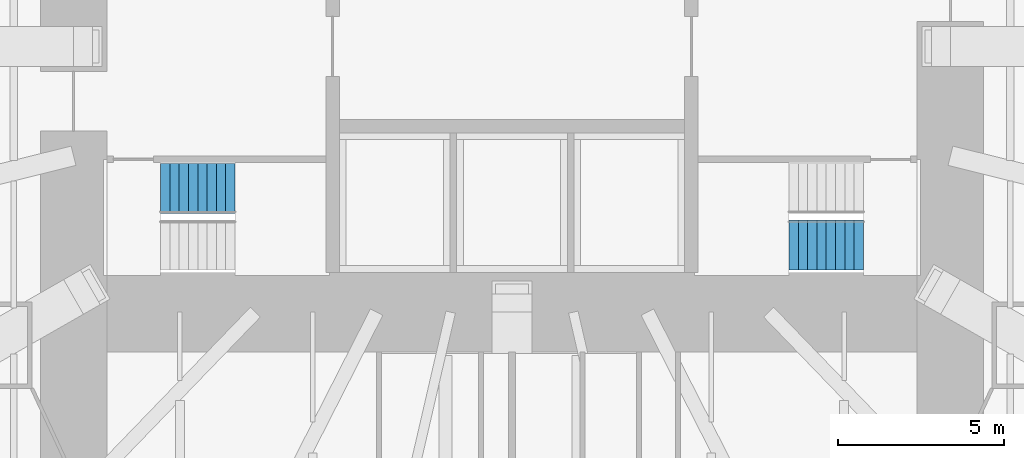
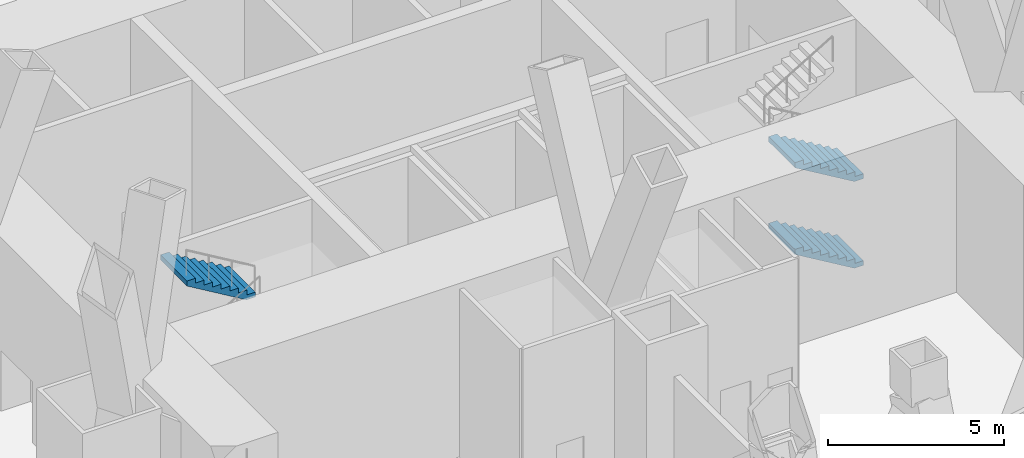
# One storey, part 19 of 21: 3 stair flights, 2 elements without a shape of their own.
"""IFC4 building model written with IfcOpenShell, lengths in metres."""

from ifc_helpers import new_model, si_unit, direction, frame, origin, place, context, subcontext, project, spatial, triangles, material, type_object, element, aggregate, save


model = new_model("IFC4")

# Units and contexts
model_context = context("Model", 3, precision=1e-05, world=origin(), true_north=direction((0.0, 1.0)))
body_context = subcontext(model_context, "Body", "Model", "MODEL_VIEW")
ifc_project = project(units=[si_unit("LENGTHUNIT", "METRE"), si_unit("AREAUNIT", "SQUARE_METRE"), si_unit("VOLUMEUNIT", "CUBIC_METRE"), si_unit("PLANEANGLEUNIT", "RADIAN"), si_unit("MASSUNIT", "GRAM", prefix="KILO")], contexts=[model_context])

# Site, building, storey
site_placement = place(None, origin())
site = spatial("IfcSite", under=ifc_project, at=site_placement, CompositionType="ELEMENT")
building_placement = place(site_placement, origin())
building = spatial("IfcBuilding", under=site, at=building_placement, Name="Lantaw Convention Tower", CompositionType="ELEMENT")
storey_placement = place(building_placement, frame((0.0, 0.0, 105.39990234375)))
storey = spatial("IfcBuildingStorey", under=building, at=storey_placement, Name="L25", CompositionType="ELEMENT", Elevation=105.39990234375)

# Stair, stair flight
ifc_material = material(Name="Concrete C35/45", Category="concrete")
stair_type = type_object("IfcStairType", Name="Exit stair 1500 riser 166.67 in 4 flights", PredefinedType="HALF_TURN_STAIR", material=ifc_material)
stair_1_placement = place(storey_placement, origin())
stair_1 = element("IfcStair", 1, at=stair_1_placement, inside=storey, type_object=stair_type, Name="Exit stair S1 L25", PredefinedType="HALF_TURN_STAIR")
stair_flight_type = type_object("IfcStairFlightType", Name="Stair flight 1500 riser 166.67", PredefinedType="STRAIGHT", material=ifc_material)
stair_flight_1_placement = place(storey_placement, frame((-8.340087890625, -4.280029296875, 4.5), z_axis=(0.0, 0.0, 1.0), x_axis=(-1.0, 0.0, 0.0)))
stair_flight_1 = element("IfcStairFlight", 2, at=stair_flight_1_placement, type_object=stair_flight_type, Name="S1 flight 4", NumberOfRisers=9, NumberOfTreads=8, PredefinedType="STRAIGHT", RiserHeight=0.166666667, TreadLength=0.28, context=body_context, shape_type="Tessellation", body=[
    triangles([(0.0, 0.75, 0.0), (0.0, 0.75, 0.166666667), (0.28, 0.75, 0.0), (0.28, 0.75, 0.166666667), (0.28, 0.75, 0.333333334), (0.2930734580690677, 0.75, 0.0), (0.2930734580690677, 0.75, 0.333333334), (0.56, 0.75, 0.1588848467052294), (0.56, 0.75, 0.333333334), (0.56, 0.75, 0.500000001), (0.8400000000000001, 0.75, 0.32555151370522933), (0.8400000000000001, 0.75, 0.500000001), (0.8400000000000001, 0.75, 0.666666668), (1.12, 0.75, 0.4922181807052293), (1.12, 0.75, 0.666666668), (1.12, 0.75, 0.833333335), (1.4000000000000001, 0.75, 0.6588848477052293), (1.4000000000000001, 0.75, 0.833333335), (1.4000000000000001, 0.75, 1.000000002), (1.6800000000000002, 0.75, 0.8255515147052293), (1.6800000000000002, 0.75, 1.000000002), (1.6800000000000002, 0.75, 1.166666669), (1.9600000000000002, 0.75, 0.9922181817052292), (1.9600000000000002, 0.75, 1.166666669), (1.9600000000000002, 0.75, 1.333333336), (2.24, 0.75, 1.1588848487052292), (2.24, 0.75, 1.333333336), (0.0, -0.75, 0.0), (0.0, -0.75, 0.166666667), (0.28, -0.75, 0.0), (0.28, -0.75, 0.166666667), (0.28, -0.75, 0.333333334), (0.2930734580690677, -0.75, 0.0), (0.2930734580690677, -0.75, 0.333333334), (0.56, -0.75, 0.1588848467052294), (0.56, -0.75, 0.333333334), (0.56, -0.75, 0.500000001), (0.8400000000000001, -0.75, 0.32555151370522933), (0.8400000000000001, -0.75, 0.500000001), (0.8400000000000001, -0.75, 0.666666668), (1.12, -0.75, 0.4922181807052293), (1.12, -0.75, 0.666666668), (1.12, -0.75, 0.833333335), (1.4000000000000001, -0.75, 0.6588848477052293), (1.4000000000000001, -0.75, 0.833333335), (1.4000000000000001, -0.75, 1.000000002), (1.6800000000000002, -0.75, 0.8255515147052293), (1.6800000000000002, -0.75, 1.000000002), (1.6800000000000002, -0.75, 1.166666669), (1.9600000000000002, -0.75, 0.9922181817052292), (1.9600000000000002, -0.75, 1.166666669), (1.9600000000000002, -0.75, 1.333333336), (2.24, -0.75, 1.1588848487052292), (2.24, -0.75, 1.333333336), (0.0, 0.15000000000000002, 0.166666667), (0.0, 0.15000000000000002, 0.0), (0.0, 0.0, 0.166666667), (0.0, 0.0, 0.0), (0.0, -0.15000000000000002, 0.166666667), (0.0, -0.15000000000000002, 0.0), (0.28, 0.15000000000000002, 0.333333334), (0.28, 0.15000000000000002, 0.166666667), (0.28, 0.0, 0.333333334), (0.28, 0.0, 0.166666667), (0.28, -0.15000000000000002, 0.333333334), (0.28, -0.15000000000000002, 0.166666667), (0.56, 0.15000000000000002, 0.500000001), (0.56, 0.15000000000000002, 0.333333334), (0.56, 0.0, 0.500000001), (0.56, 0.0, 0.333333334), (0.56, -0.15000000000000002, 0.500000001), (0.56, -0.15000000000000002, 0.333333334), (0.8400000000000001, 0.15000000000000002, 0.666666668), (0.8400000000000001, 0.15000000000000002, 0.500000001), (0.8400000000000001, 0.0, 0.666666668), (0.8400000000000001, 0.0, 0.500000001), (0.8400000000000001, -0.15000000000000002, 0.666666668), (0.8400000000000001, -0.15000000000000002, 0.500000001), (1.12, 0.15000000000000002, 0.833333335), (1.12, 0.15000000000000002, 0.666666668), (1.12, 0.0, 0.833333335), (1.12, 0.0, 0.666666668), (1.12, -0.15000000000000002, 0.833333335), (1.12, -0.15000000000000002, 0.666666668), (1.4000000000000001, 0.15000000000000002, 1.000000002), (1.4000000000000001, 0.15000000000000002, 0.833333335), (1.4000000000000001, 0.0, 1.000000002), (1.4000000000000001, 0.0, 0.833333335), (1.4000000000000001, -0.15000000000000002, 1.000000002), (1.4000000000000001, -0.15000000000000002, 0.833333335), (1.6800000000000002, 0.15000000000000002, 1.166666669), (1.6800000000000002, 0.15000000000000002, 1.000000002), (1.6800000000000002, 0.0, 1.166666669), (1.6800000000000002, 0.0, 1.000000002), (1.6800000000000002, -0.15000000000000002, 1.166666669), (1.6800000000000002, -0.15000000000000002, 1.000000002), (1.9600000000000002, 0.15000000000000002, 1.333333336), (1.9600000000000002, 0.15000000000000002, 1.166666669), (1.9600000000000002, 0.0, 1.333333336), (1.9600000000000002, 0.0, 1.166666669), (1.9600000000000002, -0.15000000000000002, 1.333333336), (1.9600000000000002, -0.15000000000000002, 1.166666669), (0.2930734580690677, 0.15000000000000002, 0.333333334), (0.2930734580690677, 0.0, 0.333333334), (0.2930734580690677, -0.15000000000000002, 0.333333334), (2.24, 0.15000000000000002, 1.333333336), (2.24, 0.0, 1.333333336), (2.24, -0.15000000000000002, 1.333333336), (2.24, 0.15000000000000002, 1.1588848487052292), (2.24, 0.0, 1.1588848487052292), (2.24, -0.15000000000000002, 1.1588848487052292), (1.9600000000000002, 0.15000000000000002, 0.9922181817052292), (1.9600000000000002, 0.0, 0.9922181817052292), (1.9600000000000002, -0.15000000000000002, 0.9922181817052292), (1.6800000000000002, 0.15000000000000002, 0.8255515147052293), (1.6800000000000002, 0.0, 0.8255515147052293), (1.6800000000000002, -0.15000000000000002, 0.8255515147052293), (1.4000000000000001, 0.15000000000000002, 0.6588848477052293), (1.4000000000000001, 0.0, 0.6588848477052293), (1.4000000000000001, -0.15000000000000002, 0.6588848477052293), (1.12, 0.15000000000000002, 0.4922181807052293), (1.12, 0.0, 0.4922181807052293), (1.12, -0.15000000000000002, 0.4922181807052293), (0.8400000000000001, 0.15000000000000002, 0.32555151370522933), (0.8400000000000001, 0.0, 0.32555151370522933), (0.8400000000000001, -0.15000000000000002, 0.32555151370522933), (0.56, 0.15000000000000002, 0.1588848467052294), (0.56, 0.0, 0.1588848467052294), (0.56, -0.15000000000000002, 0.1588848467052294), (0.2930734580690677, 0.15000000000000002, 0.0), (0.2930734580690677, 0.0, 0.0), (0.2930734580690677, -0.15000000000000002, 0.0), (0.28, 0.15000000000000002, 0.0), (0.28, 0.0, 0.0), (0.28, -0.15000000000000002, 0.0)], [[1, 4, 3], [1, 2, 4], [3, 4, 6], [4, 7, 6], [4, 5, 7], [6, 9, 8], [6, 7, 9], [8, 9, 11], [9, 12, 11], [9, 10, 12], [11, 12, 14], [12, 15, 14], [12, 13, 15], [14, 15, 17], [15, 18, 17], [15, 16, 18], [17, 18, 20], [18, 21, 20], [18, 19, 21], [20, 21, 23], [21, 24, 23], [21, 22, 24], [23, 24, 26], [24, 27, 26], [24, 25, 27], [28, 30, 31], [28, 31, 29], [30, 33, 31], [31, 33, 34], [31, 34, 32], [33, 35, 36], [33, 36, 34], [35, 38, 36], [36, 38, 39], [36, 39, 37], [38, 41, 39], [39, 41, 42], [39, 42, 40], [41, 44, 42], [42, 44, 45], [42, 45, 43], [44, 47, 45], [45, 47, 48], [45, 48, 46], [47, 50, 48], [48, 50, 51], [48, 51, 49], [50, 53, 51], [51, 53, 54], [51, 54, 52], [1, 55, 2], [1, 56, 55], [56, 57, 55], [56, 58, 57], [58, 59, 57], [58, 60, 59], [60, 29, 59], [60, 28, 29], [4, 61, 5], [4, 62, 61], [62, 63, 61], [62, 64, 63], [64, 65, 63], [64, 66, 65], [66, 32, 65], [66, 31, 32], [9, 67, 10], [9, 68, 67], [68, 69, 67], [68, 70, 69], [70, 71, 69], [70, 72, 71], [72, 37, 71], [72, 36, 37], [12, 73, 13], [12, 74, 73], [74, 75, 73], [74, 76, 75], [76, 77, 75], [76, 78, 77], [78, 40, 77], [78, 39, 40], [15, 79, 16], [15, 80, 79], [80, 81, 79], [80, 82, 81], [82, 83, 81], [82, 84, 83], [84, 43, 83], [84, 42, 43], [18, 85, 19], [18, 86, 85], [86, 87, 85], [86, 88, 87], [88, 89, 87], [88, 90, 89], [90, 46, 89], [90, 45, 46], [21, 91, 22], [21, 92, 91], [92, 93, 91], [92, 94, 93], [94, 95, 93], [94, 96, 95], [96, 49, 95], [96, 48, 49], [24, 97, 25], [24, 98, 97], [98, 99, 97], [98, 100, 99], [100, 101, 99], [100, 102, 101], [102, 52, 101], [102, 51, 52], [2, 62, 4], [2, 55, 62], [55, 64, 62], [55, 57, 64], [57, 66, 64], [57, 59, 66], [59, 31, 66], [59, 29, 31], [5, 103, 7], [5, 61, 103], [61, 104, 103], [61, 63, 104], [63, 105, 104], [63, 65, 105], [65, 34, 105], [65, 32, 34], [7, 68, 9], [7, 103, 68], [103, 70, 68], [103, 104, 70], [104, 72, 70], [104, 105, 72], [105, 36, 72], [105, 34, 36], [10, 74, 12], [10, 67, 74], [67, 76, 74], [67, 69, 76], [69, 78, 76], [69, 71, 78], [71, 39, 78], [71, 37, 39], [13, 80, 15], [13, 73, 80], [73, 82, 80], [73, 75, 82], [75, 84, 82], [75, 77, 84], [77, 42, 84], [77, 40, 42], [16, 86, 18], [16, 79, 86], [79, 88, 86], [79, 81, 88], [81, 90, 88], [81, 83, 90], [83, 45, 90], [83, 43, 45], [19, 92, 21], [19, 85, 92], [85, 94, 92], [85, 87, 94], [87, 96, 94], [87, 89, 96], [89, 48, 96], [89, 46, 48], [22, 98, 24], [22, 91, 98], [91, 100, 98], [91, 93, 100], [93, 102, 100], [93, 95, 102], [95, 51, 102], [95, 49, 51], [25, 106, 27], [25, 97, 106], [97, 107, 106], [97, 99, 107], [99, 108, 107], [99, 101, 108], [101, 54, 108], [101, 52, 54], [27, 109, 26], [27, 106, 109], [106, 110, 109], [106, 107, 110], [107, 111, 110], [107, 108, 111], [108, 53, 111], [108, 54, 53], [26, 112, 23], [26, 109, 112], [109, 113, 112], [109, 110, 113], [110, 114, 113], [110, 111, 114], [111, 50, 114], [111, 53, 50], [23, 115, 20], [23, 112, 115], [112, 116, 115], [112, 113, 116], [113, 117, 116], [113, 114, 117], [114, 47, 117], [114, 50, 47], [20, 118, 17], [20, 115, 118], [115, 119, 118], [115, 116, 119], [116, 120, 119], [116, 117, 120], [117, 44, 120], [117, 47, 44], [17, 121, 14], [17, 118, 121], [118, 122, 121], [118, 119, 122], [119, 123, 122], [119, 120, 123], [120, 41, 123], [120, 44, 41], [14, 124, 11], [14, 121, 124], [121, 125, 124], [121, 122, 125], [122, 126, 125], [122, 123, 126], [123, 38, 126], [123, 41, 38], [11, 127, 8], [11, 124, 127], [124, 128, 127], [124, 125, 128], [125, 129, 128], [125, 126, 129], [126, 35, 129], [126, 38, 35], [8, 130, 6], [8, 127, 130], [127, 131, 130], [127, 128, 131], [128, 132, 131], [128, 129, 132], [129, 33, 132], [129, 35, 33], [6, 133, 3], [6, 130, 133], [130, 134, 133], [130, 131, 134], [131, 135, 134], [131, 132, 135], [132, 30, 135], [132, 33, 30], [3, 56, 1], [3, 133, 56], [133, 58, 56], [133, 134, 58], [134, 60, 58], [134, 135, 60], [135, 28, 60], [135, 30, 28]], closed=True),
])
aggregate(stair_1, [stair_flight_1])

# Stair, stair flights
stair_2_placement = place(storey_placement, origin())
stair_2 = element("IfcStair", 3, at=stair_2_placement, inside=storey, type_object=stair_type, Name="Exit stair S2 L25", PredefinedType="HALF_TURN_STAIR")
stair_flight_2_placement = place(storey_placement, frame((10.580078125, -5.97998046875, 0.0), z_axis=(0.0, 0.0, 1.0), x_axis=(-1.0, 0.0, 0.0)))
stair_flight_2 = element("IfcStairFlight", 4, at=stair_flight_2_placement, type_object=stair_flight_type, Name="S2 flight 1", NumberOfRisers=9, NumberOfTreads=8, PredefinedType="STRAIGHT", RiserHeight=0.166666667, TreadLength=0.28, context=body_context, shape_type="Tessellation", body=[
    triangles([(0.0, 0.75, 0.0), (0.0, 0.75, 0.166666667), (0.28, 0.75, 0.0), (0.28, 0.75, 0.166666667), (0.28, 0.75, 0.333333334), (0.2930734580690677, 0.75, 0.0), (0.2930734580690677, 0.75, 0.333333334), (0.56, 0.75, 0.1588848467052294), (0.56, 0.75, 0.333333334), (0.56, 0.75, 0.500000001), (0.8400000000000001, 0.75, 0.32555151370522933), (0.8400000000000001, 0.75, 0.500000001), (0.8400000000000001, 0.75, 0.666666668), (1.12, 0.75, 0.4922181807052293), (1.12, 0.75, 0.666666668), (1.12, 0.75, 0.833333335), (1.4000000000000001, 0.75, 0.6588848477052293), (1.4000000000000001, 0.75, 0.833333335), (1.4000000000000001, 0.75, 1.000000002), (1.6800000000000002, 0.75, 0.8255515147052293), (1.6800000000000002, 0.75, 1.000000002), (1.6800000000000002, 0.75, 1.166666669), (1.9600000000000002, 0.75, 0.9922181817052292), (1.9600000000000002, 0.75, 1.166666669), (1.9600000000000002, 0.75, 1.333333336), (2.24, 0.75, 1.1588848487052292), (2.24, 0.75, 1.333333336), (0.0, -0.75, 0.0), (0.0, -0.75, 0.166666667), (0.28, -0.75, 0.0), (0.28, -0.75, 0.166666667), (0.28, -0.75, 0.333333334), (0.2930734580690677, -0.75, 0.0), (0.2930734580690677, -0.75, 0.333333334), (0.56, -0.75, 0.1588848467052294), (0.56, -0.75, 0.333333334), (0.56, -0.75, 0.500000001), (0.8400000000000001, -0.75, 0.32555151370522933), (0.8400000000000001, -0.75, 0.500000001), (0.8400000000000001, -0.75, 0.666666668), (1.12, -0.75, 0.4922181807052293), (1.12, -0.75, 0.666666668), (1.12, -0.75, 0.833333335), (1.4000000000000001, -0.75, 0.6588848477052293), (1.4000000000000001, -0.75, 0.833333335), (1.4000000000000001, -0.75, 1.000000002), (1.6800000000000002, -0.75, 0.8255515147052293), (1.6800000000000002, -0.75, 1.000000002), (1.6800000000000002, -0.75, 1.166666669), (1.9600000000000002, -0.75, 0.9922181817052292), (1.9600000000000002, -0.75, 1.166666669), (1.9600000000000002, -0.75, 1.333333336), (2.24, -0.75, 1.1588848487052292), (2.24, -0.75, 1.333333336), (0.0, 0.15000000000000002, 0.166666667), (0.0, 0.15000000000000002, 0.0), (0.0, 0.0, 0.166666667), (0.0, 0.0, 0.0), (0.0, -0.15000000000000002, 0.166666667), (0.0, -0.15000000000000002, 0.0), (0.28, 0.15000000000000002, 0.333333334), (0.28, 0.15000000000000002, 0.166666667), (0.28, 0.0, 0.333333334), (0.28, 0.0, 0.166666667), (0.28, -0.15000000000000002, 0.333333334), (0.28, -0.15000000000000002, 0.166666667), (0.56, 0.15000000000000002, 0.500000001), (0.56, 0.15000000000000002, 0.333333334), (0.56, 0.0, 0.500000001), (0.56, 0.0, 0.333333334), (0.56, -0.15000000000000002, 0.500000001), (0.56, -0.15000000000000002, 0.333333334), (0.8400000000000001, 0.15000000000000002, 0.666666668), (0.8400000000000001, 0.15000000000000002, 0.500000001), (0.8400000000000001, 0.0, 0.666666668), (0.8400000000000001, 0.0, 0.500000001), (0.8400000000000001, -0.15000000000000002, 0.666666668), (0.8400000000000001, -0.15000000000000002, 0.500000001), (1.12, 0.15000000000000002, 0.833333335), (1.12, 0.15000000000000002, 0.666666668), (1.12, 0.0, 0.833333335), (1.12, 0.0, 0.666666668), (1.12, -0.15000000000000002, 0.833333335), (1.12, -0.15000000000000002, 0.666666668), (1.4000000000000001, 0.15000000000000002, 1.000000002), (1.4000000000000001, 0.15000000000000002, 0.833333335), (1.4000000000000001, 0.0, 1.000000002), (1.4000000000000001, 0.0, 0.833333335), (1.4000000000000001, -0.15000000000000002, 1.000000002), (1.4000000000000001, -0.15000000000000002, 0.833333335), (1.6800000000000002, 0.15000000000000002, 1.166666669), (1.6800000000000002, 0.15000000000000002, 1.000000002), (1.6800000000000002, 0.0, 1.166666669), (1.6800000000000002, 0.0, 1.000000002), (1.6800000000000002, -0.15000000000000002, 1.166666669), (1.6800000000000002, -0.15000000000000002, 1.000000002), (1.9600000000000002, 0.15000000000000002, 1.333333336), (1.9600000000000002, 0.15000000000000002, 1.166666669), (1.9600000000000002, 0.0, 1.333333336), (1.9600000000000002, 0.0, 1.166666669), (1.9600000000000002, -0.15000000000000002, 1.333333336), (1.9600000000000002, -0.15000000000000002, 1.166666669), (0.2930734580690677, 0.15000000000000002, 0.333333334), (0.2930734580690677, 0.0, 0.333333334), (0.2930734580690677, -0.15000000000000002, 0.333333334), (2.24, 0.15000000000000002, 1.333333336), (2.24, 0.0, 1.333333336), (2.24, -0.15000000000000002, 1.333333336), (2.24, 0.15000000000000002, 1.1588848487052292), (2.24, 0.0, 1.1588848487052292), (2.24, -0.15000000000000002, 1.1588848487052292), (1.9600000000000002, 0.15000000000000002, 0.9922181817052292), (1.9600000000000002, 0.0, 0.9922181817052292), (1.9600000000000002, -0.15000000000000002, 0.9922181817052292), (1.6800000000000002, 0.15000000000000002, 0.8255515147052293), (1.6800000000000002, 0.0, 0.8255515147052293), (1.6800000000000002, -0.15000000000000002, 0.8255515147052293), (1.4000000000000001, 0.15000000000000002, 0.6588848477052293), (1.4000000000000001, 0.0, 0.6588848477052293), (1.4000000000000001, -0.15000000000000002, 0.6588848477052293), (1.12, 0.15000000000000002, 0.4922181807052293), (1.12, 0.0, 0.4922181807052293), (1.12, -0.15000000000000002, 0.4922181807052293), (0.8400000000000001, 0.15000000000000002, 0.32555151370522933), (0.8400000000000001, 0.0, 0.32555151370522933), (0.8400000000000001, -0.15000000000000002, 0.32555151370522933), (0.56, 0.15000000000000002, 0.1588848467052294), (0.56, 0.0, 0.1588848467052294), (0.56, -0.15000000000000002, 0.1588848467052294), (0.2930734580690677, 0.15000000000000002, 0.0), (0.2930734580690677, 0.0, 0.0), (0.2930734580690677, -0.15000000000000002, 0.0), (0.28, 0.15000000000000002, 0.0), (0.28, 0.0, 0.0), (0.28, -0.15000000000000002, 0.0)], [[1, 4, 3], [1, 2, 4], [3, 4, 6], [4, 7, 6], [4, 5, 7], [6, 9, 8], [6, 7, 9], [8, 9, 11], [9, 12, 11], [9, 10, 12], [11, 12, 14], [12, 15, 14], [12, 13, 15], [14, 15, 17], [15, 18, 17], [15, 16, 18], [17, 18, 20], [18, 21, 20], [18, 19, 21], [20, 21, 23], [21, 24, 23], [21, 22, 24], [23, 24, 26], [24, 27, 26], [24, 25, 27], [28, 30, 31], [28, 31, 29], [30, 33, 31], [31, 33, 34], [31, 34, 32], [33, 35, 36], [33, 36, 34], [35, 38, 36], [36, 38, 39], [36, 39, 37], [38, 41, 39], [39, 41, 42], [39, 42, 40], [41, 44, 42], [42, 44, 45], [42, 45, 43], [44, 47, 45], [45, 47, 48], [45, 48, 46], [47, 50, 48], [48, 50, 51], [48, 51, 49], [50, 53, 51], [51, 53, 54], [51, 54, 52], [1, 55, 2], [1, 56, 55], [56, 57, 55], [56, 58, 57], [58, 59, 57], [58, 60, 59], [60, 29, 59], [60, 28, 29], [4, 61, 5], [4, 62, 61], [62, 63, 61], [62, 64, 63], [64, 65, 63], [64, 66, 65], [66, 32, 65], [66, 31, 32], [9, 67, 10], [9, 68, 67], [68, 69, 67], [68, 70, 69], [70, 71, 69], [70, 72, 71], [72, 37, 71], [72, 36, 37], [12, 73, 13], [12, 74, 73], [74, 75, 73], [74, 76, 75], [76, 77, 75], [76, 78, 77], [78, 40, 77], [78, 39, 40], [15, 79, 16], [15, 80, 79], [80, 81, 79], [80, 82, 81], [82, 83, 81], [82, 84, 83], [84, 43, 83], [84, 42, 43], [18, 85, 19], [18, 86, 85], [86, 87, 85], [86, 88, 87], [88, 89, 87], [88, 90, 89], [90, 46, 89], [90, 45, 46], [21, 91, 22], [21, 92, 91], [92, 93, 91], [92, 94, 93], [94, 95, 93], [94, 96, 95], [96, 49, 95], [96, 48, 49], [24, 97, 25], [24, 98, 97], [98, 99, 97], [98, 100, 99], [100, 101, 99], [100, 102, 101], [102, 52, 101], [102, 51, 52], [2, 62, 4], [2, 55, 62], [55, 64, 62], [55, 57, 64], [57, 66, 64], [57, 59, 66], [59, 31, 66], [59, 29, 31], [5, 103, 7], [5, 61, 103], [61, 104, 103], [61, 63, 104], [63, 105, 104], [63, 65, 105], [65, 34, 105], [65, 32, 34], [7, 68, 9], [7, 103, 68], [103, 70, 68], [103, 104, 70], [104, 72, 70], [104, 105, 72], [105, 36, 72], [105, 34, 36], [10, 74, 12], [10, 67, 74], [67, 76, 74], [67, 69, 76], [69, 78, 76], [69, 71, 78], [71, 39, 78], [71, 37, 39], [13, 80, 15], [13, 73, 80], [73, 82, 80], [73, 75, 82], [75, 84, 82], [75, 77, 84], [77, 42, 84], [77, 40, 42], [16, 86, 18], [16, 79, 86], [79, 88, 86], [79, 81, 88], [81, 90, 88], [81, 83, 90], [83, 45, 90], [83, 43, 45], [19, 92, 21], [19, 85, 92], [85, 94, 92], [85, 87, 94], [87, 96, 94], [87, 89, 96], [89, 48, 96], [89, 46, 48], [22, 98, 24], [22, 91, 98], [91, 100, 98], [91, 93, 100], [93, 102, 100], [93, 95, 102], [95, 51, 102], [95, 49, 51], [25, 106, 27], [25, 97, 106], [97, 107, 106], [97, 99, 107], [99, 108, 107], [99, 101, 108], [101, 54, 108], [101, 52, 54], [27, 109, 26], [27, 106, 109], [106, 110, 109], [106, 107, 110], [107, 111, 110], [107, 108, 111], [108, 53, 111], [108, 54, 53], [26, 112, 23], [26, 109, 112], [109, 113, 112], [109, 110, 113], [110, 114, 113], [110, 111, 114], [111, 50, 114], [111, 53, 50], [23, 115, 20], [23, 112, 115], [112, 116, 115], [112, 113, 116], [113, 117, 116], [113, 114, 117], [114, 47, 117], [114, 50, 47], [20, 118, 17], [20, 115, 118], [115, 119, 118], [115, 116, 119], [116, 120, 119], [116, 117, 120], [117, 44, 120], [117, 47, 44], [17, 121, 14], [17, 118, 121], [118, 122, 121], [118, 119, 122], [119, 123, 122], [119, 120, 123], [120, 41, 123], [120, 44, 41], [14, 124, 11], [14, 121, 124], [121, 125, 124], [121, 122, 125], [122, 126, 125], [122, 123, 126], [123, 38, 126], [123, 41, 38], [11, 127, 8], [11, 124, 127], [124, 128, 127], [124, 125, 128], [125, 129, 128], [125, 126, 129], [126, 35, 129], [126, 38, 35], [8, 130, 6], [8, 127, 130], [127, 131, 130], [127, 128, 131], [128, 132, 131], [128, 129, 132], [129, 33, 132], [129, 35, 33], [6, 133, 3], [6, 130, 133], [130, 134, 133], [130, 131, 134], [131, 135, 134], [131, 132, 135], [132, 30, 135], [132, 33, 30], [3, 56, 1], [3, 133, 56], [133, 58, 56], [133, 134, 58], [134, 60, 58], [134, 135, 60], [135, 28, 60], [135, 30, 28]], closed=True),
])
stair_flight_3_placement = place(storey_placement, frame((10.580078125, -5.97998046875, 3.0), z_axis=(0.0, 0.0, 1.0), x_axis=(-1.0, 0.0, 0.0)))
stair_flight_3 = element("IfcStairFlight", 5, at=stair_flight_3_placement, type_object=stair_flight_type, Name="S2 flight 3", NumberOfRisers=9, NumberOfTreads=8, PredefinedType="STRAIGHT", RiserHeight=0.166666667, TreadLength=0.28, context=body_context, shape_type="Tessellation", body=[
    triangles([(0.0, 0.75, 0.0), (0.0, 0.75, 0.166666667), (0.28, 0.75, 0.0), (0.28, 0.75, 0.166666667), (0.28, 0.75, 0.333333334), (0.2930734580690677, 0.75, 0.0), (0.2930734580690677, 0.75, 0.333333334), (0.56, 0.75, 0.1588848467052294), (0.56, 0.75, 0.333333334), (0.56, 0.75, 0.500000001), (0.8400000000000001, 0.75, 0.32555151370522933), (0.8400000000000001, 0.75, 0.500000001), (0.8400000000000001, 0.75, 0.666666668), (1.12, 0.75, 0.4922181807052293), (1.12, 0.75, 0.666666668), (1.12, 0.75, 0.833333335), (1.4000000000000001, 0.75, 0.6588848477052293), (1.4000000000000001, 0.75, 0.833333335), (1.4000000000000001, 0.75, 1.000000002), (1.6800000000000002, 0.75, 0.8255515147052293), (1.6800000000000002, 0.75, 1.000000002), (1.6800000000000002, 0.75, 1.166666669), (1.9600000000000002, 0.75, 0.9922181817052292), (1.9600000000000002, 0.75, 1.166666669), (1.9600000000000002, 0.75, 1.333333336), (2.24, 0.75, 1.1588848487052292), (2.24, 0.75, 1.333333336), (0.0, -0.75, 0.0), (0.0, -0.75, 0.166666667), (0.28, -0.75, 0.0), (0.28, -0.75, 0.166666667), (0.28, -0.75, 0.333333334), (0.2930734580690677, -0.75, 0.0), (0.2930734580690677, -0.75, 0.333333334), (0.56, -0.75, 0.1588848467052294), (0.56, -0.75, 0.333333334), (0.56, -0.75, 0.500000001), (0.8400000000000001, -0.75, 0.32555151370522933), (0.8400000000000001, -0.75, 0.500000001), (0.8400000000000001, -0.75, 0.666666668), (1.12, -0.75, 0.4922181807052293), (1.12, -0.75, 0.666666668), (1.12, -0.75, 0.833333335), (1.4000000000000001, -0.75, 0.6588848477052293), (1.4000000000000001, -0.75, 0.833333335), (1.4000000000000001, -0.75, 1.000000002), (1.6800000000000002, -0.75, 0.8255515147052293), (1.6800000000000002, -0.75, 1.000000002), (1.6800000000000002, -0.75, 1.166666669), (1.9600000000000002, -0.75, 0.9922181817052292), (1.9600000000000002, -0.75, 1.166666669), (1.9600000000000002, -0.75, 1.333333336), (2.24, -0.75, 1.1588848487052292), (2.24, -0.75, 1.333333336), (0.0, 0.15000000000000002, 0.166666667), (0.0, 0.15000000000000002, 0.0), (0.0, 0.0, 0.166666667), (0.0, 0.0, 0.0), (0.0, -0.15000000000000002, 0.166666667), (0.0, -0.15000000000000002, 0.0), (0.28, 0.15000000000000002, 0.333333334), (0.28, 0.15000000000000002, 0.166666667), (0.28, 0.0, 0.333333334), (0.28, 0.0, 0.166666667), (0.28, -0.15000000000000002, 0.333333334), (0.28, -0.15000000000000002, 0.166666667), (0.56, 0.15000000000000002, 0.500000001), (0.56, 0.15000000000000002, 0.333333334), (0.56, 0.0, 0.500000001), (0.56, 0.0, 0.333333334), (0.56, -0.15000000000000002, 0.500000001), (0.56, -0.15000000000000002, 0.333333334), (0.8400000000000001, 0.15000000000000002, 0.666666668), (0.8400000000000001, 0.15000000000000002, 0.500000001), (0.8400000000000001, 0.0, 0.666666668), (0.8400000000000001, 0.0, 0.500000001), (0.8400000000000001, -0.15000000000000002, 0.666666668), (0.8400000000000001, -0.15000000000000002, 0.500000001), (1.12, 0.15000000000000002, 0.833333335), (1.12, 0.15000000000000002, 0.666666668), (1.12, 0.0, 0.833333335), (1.12, 0.0, 0.666666668), (1.12, -0.15000000000000002, 0.833333335), (1.12, -0.15000000000000002, 0.666666668), (1.4000000000000001, 0.15000000000000002, 1.000000002), (1.4000000000000001, 0.15000000000000002, 0.833333335), (1.4000000000000001, 0.0, 1.000000002), (1.4000000000000001, 0.0, 0.833333335), (1.4000000000000001, -0.15000000000000002, 1.000000002), (1.4000000000000001, -0.15000000000000002, 0.833333335), (1.6800000000000002, 0.15000000000000002, 1.166666669), (1.6800000000000002, 0.15000000000000002, 1.000000002), (1.6800000000000002, 0.0, 1.166666669), (1.6800000000000002, 0.0, 1.000000002), (1.6800000000000002, -0.15000000000000002, 1.166666669), (1.6800000000000002, -0.15000000000000002, 1.000000002), (1.9600000000000002, 0.15000000000000002, 1.333333336), (1.9600000000000002, 0.15000000000000002, 1.166666669), (1.9600000000000002, 0.0, 1.333333336), (1.9600000000000002, 0.0, 1.166666669), (1.9600000000000002, -0.15000000000000002, 1.333333336), (1.9600000000000002, -0.15000000000000002, 1.166666669), (0.2930734580690677, 0.15000000000000002, 0.333333334), (0.2930734580690677, 0.0, 0.333333334), (0.2930734580690677, -0.15000000000000002, 0.333333334), (2.24, 0.15000000000000002, 1.333333336), (2.24, 0.0, 1.333333336), (2.24, -0.15000000000000002, 1.333333336), (2.24, 0.15000000000000002, 1.1588848487052292), (2.24, 0.0, 1.1588848487052292), (2.24, -0.15000000000000002, 1.1588848487052292), (1.9600000000000002, 0.15000000000000002, 0.9922181817052292), (1.9600000000000002, 0.0, 0.9922181817052292), (1.9600000000000002, -0.15000000000000002, 0.9922181817052292), (1.6800000000000002, 0.15000000000000002, 0.8255515147052293), (1.6800000000000002, 0.0, 0.8255515147052293), (1.6800000000000002, -0.15000000000000002, 0.8255515147052293), (1.4000000000000001, 0.15000000000000002, 0.6588848477052293), (1.4000000000000001, 0.0, 0.6588848477052293), (1.4000000000000001, -0.15000000000000002, 0.6588848477052293), (1.12, 0.15000000000000002, 0.4922181807052293), (1.12, 0.0, 0.4922181807052293), (1.12, -0.15000000000000002, 0.4922181807052293), (0.8400000000000001, 0.15000000000000002, 0.32555151370522933), (0.8400000000000001, 0.0, 0.32555151370522933), (0.8400000000000001, -0.15000000000000002, 0.32555151370522933), (0.56, 0.15000000000000002, 0.1588848467052294), (0.56, 0.0, 0.1588848467052294), (0.56, -0.15000000000000002, 0.1588848467052294), (0.2930734580690677, 0.15000000000000002, 0.0), (0.2930734580690677, 0.0, 0.0), (0.2930734580690677, -0.15000000000000002, 0.0), (0.28, 0.15000000000000002, 0.0), (0.28, 0.0, 0.0), (0.28, -0.15000000000000002, 0.0)], [[1, 4, 3], [1, 2, 4], [3, 4, 6], [4, 7, 6], [4, 5, 7], [6, 9, 8], [6, 7, 9], [8, 9, 11], [9, 12, 11], [9, 10, 12], [11, 12, 14], [12, 15, 14], [12, 13, 15], [14, 15, 17], [15, 18, 17], [15, 16, 18], [17, 18, 20], [18, 21, 20], [18, 19, 21], [20, 21, 23], [21, 24, 23], [21, 22, 24], [23, 24, 26], [24, 27, 26], [24, 25, 27], [28, 30, 31], [28, 31, 29], [30, 33, 31], [31, 33, 34], [31, 34, 32], [33, 35, 36], [33, 36, 34], [35, 38, 36], [36, 38, 39], [36, 39, 37], [38, 41, 39], [39, 41, 42], [39, 42, 40], [41, 44, 42], [42, 44, 45], [42, 45, 43], [44, 47, 45], [45, 47, 48], [45, 48, 46], [47, 50, 48], [48, 50, 51], [48, 51, 49], [50, 53, 51], [51, 53, 54], [51, 54, 52], [1, 55, 2], [1, 56, 55], [56, 57, 55], [56, 58, 57], [58, 59, 57], [58, 60, 59], [60, 29, 59], [60, 28, 29], [4, 61, 5], [4, 62, 61], [62, 63, 61], [62, 64, 63], [64, 65, 63], [64, 66, 65], [66, 32, 65], [66, 31, 32], [9, 67, 10], [9, 68, 67], [68, 69, 67], [68, 70, 69], [70, 71, 69], [70, 72, 71], [72, 37, 71], [72, 36, 37], [12, 73, 13], [12, 74, 73], [74, 75, 73], [74, 76, 75], [76, 77, 75], [76, 78, 77], [78, 40, 77], [78, 39, 40], [15, 79, 16], [15, 80, 79], [80, 81, 79], [80, 82, 81], [82, 83, 81], [82, 84, 83], [84, 43, 83], [84, 42, 43], [18, 85, 19], [18, 86, 85], [86, 87, 85], [86, 88, 87], [88, 89, 87], [88, 90, 89], [90, 46, 89], [90, 45, 46], [21, 91, 22], [21, 92, 91], [92, 93, 91], [92, 94, 93], [94, 95, 93], [94, 96, 95], [96, 49, 95], [96, 48, 49], [24, 97, 25], [24, 98, 97], [98, 99, 97], [98, 100, 99], [100, 101, 99], [100, 102, 101], [102, 52, 101], [102, 51, 52], [2, 62, 4], [2, 55, 62], [55, 64, 62], [55, 57, 64], [57, 66, 64], [57, 59, 66], [59, 31, 66], [59, 29, 31], [5, 103, 7], [5, 61, 103], [61, 104, 103], [61, 63, 104], [63, 105, 104], [63, 65, 105], [65, 34, 105], [65, 32, 34], [7, 68, 9], [7, 103, 68], [103, 70, 68], [103, 104, 70], [104, 72, 70], [104, 105, 72], [105, 36, 72], [105, 34, 36], [10, 74, 12], [10, 67, 74], [67, 76, 74], [67, 69, 76], [69, 78, 76], [69, 71, 78], [71, 39, 78], [71, 37, 39], [13, 80, 15], [13, 73, 80], [73, 82, 80], [73, 75, 82], [75, 84, 82], [75, 77, 84], [77, 42, 84], [77, 40, 42], [16, 86, 18], [16, 79, 86], [79, 88, 86], [79, 81, 88], [81, 90, 88], [81, 83, 90], [83, 45, 90], [83, 43, 45], [19, 92, 21], [19, 85, 92], [85, 94, 92], [85, 87, 94], [87, 96, 94], [87, 89, 96], [89, 48, 96], [89, 46, 48], [22, 98, 24], [22, 91, 98], [91, 100, 98], [91, 93, 100], [93, 102, 100], [93, 95, 102], [95, 51, 102], [95, 49, 51], [25, 106, 27], [25, 97, 106], [97, 107, 106], [97, 99, 107], [99, 108, 107], [99, 101, 108], [101, 54, 108], [101, 52, 54], [27, 109, 26], [27, 106, 109], [106, 110, 109], [106, 107, 110], [107, 111, 110], [107, 108, 111], [108, 53, 111], [108, 54, 53], [26, 112, 23], [26, 109, 112], [109, 113, 112], [109, 110, 113], [110, 114, 113], [110, 111, 114], [111, 50, 114], [111, 53, 50], [23, 115, 20], [23, 112, 115], [112, 116, 115], [112, 113, 116], [113, 117, 116], [113, 114, 117], [114, 47, 117], [114, 50, 47], [20, 118, 17], [20, 115, 118], [115, 119, 118], [115, 116, 119], [116, 120, 119], [116, 117, 120], [117, 44, 120], [117, 47, 44], [17, 121, 14], [17, 118, 121], [118, 122, 121], [118, 119, 122], [119, 123, 122], [119, 120, 123], [120, 41, 123], [120, 44, 41], [14, 124, 11], [14, 121, 124], [121, 125, 124], [121, 122, 125], [122, 126, 125], [122, 123, 126], [123, 38, 126], [123, 41, 38], [11, 127, 8], [11, 124, 127], [124, 128, 127], [124, 125, 128], [125, 129, 128], [125, 126, 129], [126, 35, 129], [126, 38, 35], [8, 130, 6], [8, 127, 130], [127, 131, 130], [127, 128, 131], [128, 132, 131], [128, 129, 132], [129, 33, 132], [129, 35, 33], [6, 133, 3], [6, 130, 133], [130, 134, 133], [130, 131, 134], [131, 135, 134], [131, 132, 135], [132, 30, 135], [132, 33, 30], [3, 56, 1], [3, 133, 56], [133, 58, 56], [133, 134, 58], [134, 60, 58], [134, 135, 60], [135, 28, 60], [135, 30, 28]], closed=True),
])
aggregate(stair_2, [stair_flight_2, stair_flight_3])

save(model, "model.ifc")
